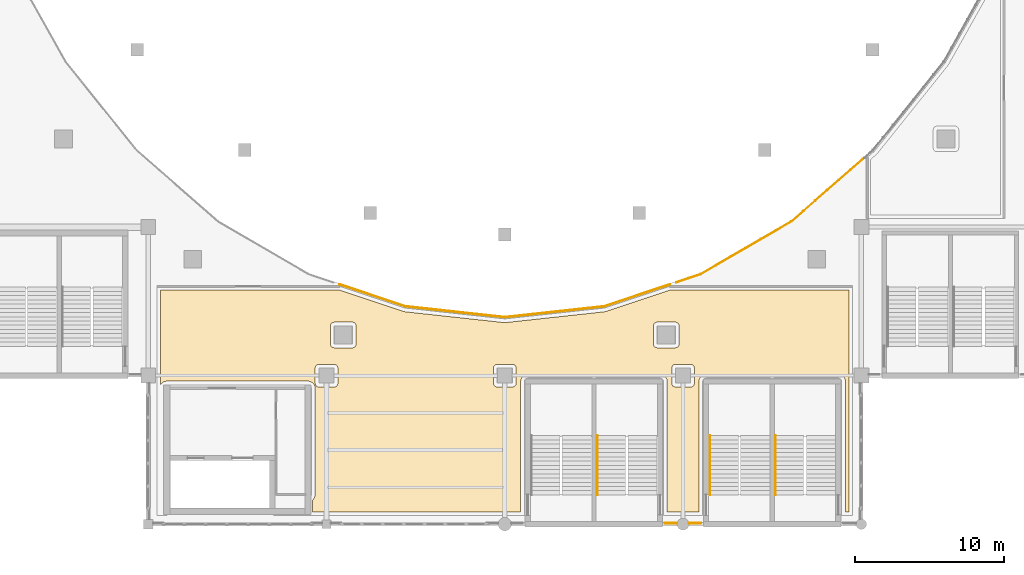
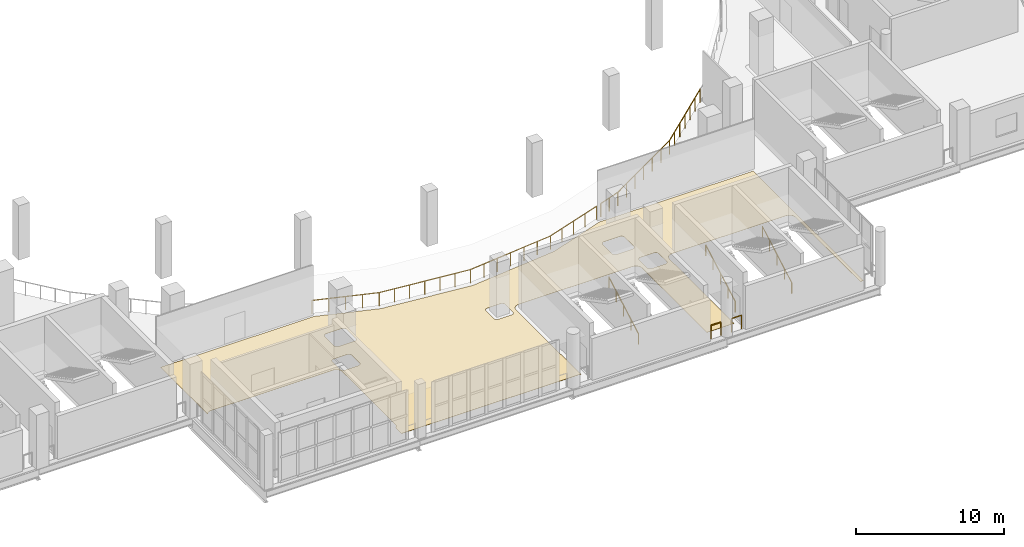
# One storey, part 99 of 108: 7 railings, 1 covering.
"""IFC4 building model written with IfcOpenShell, lengths in metres."""

from ifc_helpers import new_model, si_unit, direction, frame, origin, origin_2d, place, context, subcontext, project, spatial, polyline, circle, outline, extrude, material, layer, layer_set, type_object, element, save


model = new_model("IFC4")

# Units and contexts
model_context = context("Model", 3, precision=1e-05, world=origin(), true_north=direction((0.0, 1.0)))
body_context = subcontext(model_context, "Body", "Model", "MODEL_VIEW")
ifc_project = project(units=[si_unit("LENGTHUNIT", "METRE"), si_unit("AREAUNIT", "SQUARE_METRE"), si_unit("VOLUMEUNIT", "CUBIC_METRE"), si_unit("PLANEANGLEUNIT", "RADIAN"), si_unit("MASSUNIT", "GRAM", prefix="KILO")], contexts=[model_context])

# Site, building, storey
site_placement = place(None, origin())
site = spatial("IfcSite", under=ifc_project, at=site_placement, CompositionType="ELEMENT")
building_placement = place(site_placement, origin())
building = spatial("IfcBuilding", under=site, at=building_placement, Name="Brinegate Civic Arena", CompositionType="ELEMENT")
storey_placement = place(building_placement, frame((0.0, 0.0, 10.199951171875)))
storey = spatial("IfcBuildingStorey", under=building, at=storey_placement, Name="L02", CompositionType="ELEMENT", Elevation=10.199951171875)

# Covering
ifc_material_1 = material(Name="Polished coral terrazzo flooring")
ifc_layer = layer(ifc_material_1, 0.013916015625, Name="Polished coral terrazzo flooring")
ifc_layer_set = layer_set([ifc_layer], Name="Polished coral terrazzo flooring")
covering_type = type_object("IfcCoveringType", Name="FLOORING-ACOUSTIC-14", PredefinedType="FLOORING", material=ifc_layer_set)
covering_placement = place(storey_placement, origin())
element("IfcCovering", 1, at=covering_placement, inside=storey, type_object=covering_type, Name="Flooring L02-002", PredefinedType="FLOORING", context=body_context, shape_type="SweptSolid", body=[
    extrude(outline(polyline([(84.830078125, 15.77001953125), (96.842041015625, 15.77001953125), (101.197021484375, 14.31689453125), (101.222900390625, 14.30908203125), (101.2490234375, 14.304931640625), (107.972900390625, 13.572021484375), (108.0, 13.570068359375), (108.027099609375, 13.572021484375), (114.7509765625, 14.304931640625), (114.777099609375, 14.30908203125), (114.802978515625, 14.31689453125), (119.156982421875, 15.77001953125), (131.169921875, 15.77001953125), (131.169921875, 0.830078125), (130.929931640625, 0.830078125), (130.929931640625, 9.59912109375), (130.928955078125, 9.6240234375), (130.924072265625, 9.669921875), (130.9208984375, 9.694091796875), (130.9150390625, 9.716064453125), (130.902099609375, 9.760009765625), (130.89404296875, 9.782958984375), (130.883056640625, 9.805908203125), (130.862060546875, 9.845947265625), (130.84912109375, 9.865966796875), (130.8349609375, 9.885986328125), (130.806884765625, 9.9208984375), (130.7900390625, 9.93994140625), (130.77099609375, 9.95703125), (130.736083984375, 9.985107421875), (130.716064453125, 9.9990234375), (130.696044921875, 10.011962890625), (130.656005859375, 10.032958984375), (130.633056640625, 10.0439453125), (130.610107421875, 10.052001953125), (130.56591796875, 10.06494140625), (130.5439453125, 10.071044921875), (130.52001953125, 10.073974609375), (130.47412109375, 10.0791015625), (130.448974609375, 10.080078125), (126.14599609375, 10.080078125), (126.12109375, 10.0791015625), (126.073974609375, 10.073974609375), (126.0390625, 10.068115234375), (126.01806640625, 10.06298828125), (126.0, 10.056884765625), (125.98193359375, 10.06298828125), (125.9609375, 10.068115234375), (125.926025390625, 10.073974609375), (125.87890625, 10.0791015625), (125.85400390625, 10.080078125), (121.551025390625, 10.080078125), (121.52587890625, 10.0791015625), (121.47998046875, 10.073974609375), (121.4560546875, 10.071044921875), (121.43408203125, 10.06494140625), (121.389892578125, 10.052001953125), (121.366943359375, 10.0439453125), (121.343994140625, 10.032958984375), (121.303955078125, 10.011962890625), (121.283935546875, 9.9990234375), (121.263916015625, 9.985107421875), (121.22900390625, 9.95703125), (121.2099609375, 9.93994140625), (121.193115234375, 9.9208984375), (121.1650390625, 9.885986328125), (121.15087890625, 9.865966796875), (121.137939453125, 9.845947265625), (121.116943359375, 9.805908203125), (121.10595703125, 9.782958984375), (121.097900390625, 9.760009765625), (121.0849609375, 9.716064453125), (121.0791015625, 9.694091796875), (121.075927734375, 9.669921875), (121.071044921875, 9.6240234375), (121.070068359375, 9.59912109375), (121.070068359375, 0.830078125), (118.929931640625, 0.830078125), (118.929931640625, 9.59912109375), (118.928955078125, 9.6240234375), (118.924072265625, 9.669921875), (118.9208984375, 9.694091796875), (118.9150390625, 9.716064453125), (118.902099609375, 9.760009765625), (118.89404296875, 9.782958984375), (118.883056640625, 9.805908203125), (118.862060546875, 9.845947265625), (118.85205078125, 9.863037109375), (118.841064453125, 9.8779296875), (118.827880859375, 9.89599609375), (118.804931640625, 9.923095703125), (118.77294921875, 9.9541015625), (118.75390625, 9.970947265625), (118.73388671875, 9.986083984375), (118.696044921875, 10.010986328125), (118.676025390625, 10.02294921875), (118.656005859375, 10.032958984375), (118.614013671875, 10.050048828125), (118.595947265625, 10.056884765625), (118.576904296875, 10.06298828125), (118.555908203125, 10.068115234375), (118.52099609375, 10.073974609375), (118.47412109375, 10.0791015625), (118.448974609375, 10.080078125), (114.14599609375, 10.080078125), (114.12109375, 10.0791015625), (114.073974609375, 10.073974609375), (114.0390625, 10.068115234375), (114.01806640625, 10.06298828125), (114.0, 10.056884765625), (113.98193359375, 10.06298828125), (113.9609375, 10.068115234375), (113.926025390625, 10.073974609375), (113.87890625, 10.0791015625), (113.85400390625, 10.080078125), (109.551025390625, 10.080078125), (109.52587890625, 10.0791015625), (109.47998046875, 10.073974609375), (109.4560546875, 10.071044921875), (109.43408203125, 10.06494140625), (109.389892578125, 10.052001953125), (109.366943359375, 10.0439453125), (109.343994140625, 10.032958984375), (109.303955078125, 10.011962890625), (109.283935546875, 9.9990234375), (109.263916015625, 9.985107421875), (109.22900390625, 9.95703125), (109.2099609375, 9.93994140625), (109.193115234375, 9.9208984375), (109.1650390625, 9.885986328125), (109.15087890625, 9.865966796875), (109.137939453125, 9.845947265625), (109.116943359375, 9.805908203125), (109.10595703125, 9.782958984375), (109.097900390625, 9.760009765625), (109.0849609375, 9.716064453125), (109.0791015625, 9.694091796875), (109.075927734375, 9.669921875), (109.071044921875, 9.6240234375), (109.070068359375, 9.59912109375), (109.070068359375, 0.830078125), (95.050048828125, 0.830078125), (95.050048828125, 1.6259765625), (95.053955078125, 1.62890625), (95.072998046875, 1.64599609375), (95.10498046875, 1.677001953125), (95.1279296875, 1.7041015625), (95.14111328125, 1.721923828125), (95.152099609375, 1.737060546875), (95.162109375, 1.75390625), (95.18310546875, 1.7939453125), (95.19189453125, 1.81201171875), (95.198974609375, 1.830078125), (95.2060546875, 1.85009765625), (95.214111328125, 1.881103515625), (95.22412109375, 1.926025390625), (95.22705078125, 1.947021484375), (95.22900390625, 1.967041015625), (95.22998046875, 1.989990234375), (95.22998046875, 2.0), (95.22998046875, 9.14892578125), (95.22900390625, 9.174072265625), (95.22412109375, 9.219970703125), (95.220947265625, 9.243896484375), (95.215087890625, 9.26611328125), (95.201904296875, 9.31005859375), (95.194091796875, 9.3330078125), (95.18310546875, 9.35595703125), (95.162109375, 9.39599609375), (95.152099609375, 9.4130859375), (95.14111328125, 9.427978515625), (95.1279296875, 9.446044921875), (95.10498046875, 9.472900390625), (95.072998046875, 9.50390625), (95.053955078125, 9.52099609375), (95.033935546875, 9.535888671875), (94.99609375, 9.56103515625), (94.97607421875, 9.572998046875), (94.9560546875, 9.5830078125), (94.9140625, 9.60009765625), (94.89599609375, 9.60693359375), (94.876953125, 9.613037109375), (94.85595703125, 9.617919921875), (94.821044921875, 9.6240234375), (94.77392578125, 9.62890625), (94.7490234375, 9.6298828125), (92.60107421875, 9.6298828125), (92.575927734375, 9.62890625), (92.550048828125, 9.6259765625), (92.52392578125, 9.62890625), (92.4990234375, 9.6298828125), (85.2509765625, 9.6298828125), (85.22607421875, 9.62890625), (85.178955078125, 9.6240234375), (85.14404296875, 9.617919921875), (85.123046875, 9.613037109375), (85.10400390625, 9.60693359375), (85.0859375, 9.60009765625), (85.0439453125, 9.5830078125), (85.02392578125, 9.572998046875), (85.00390625, 9.56103515625), (84.966064453125, 9.535888671875), (84.946044921875, 9.52099609375), (84.927001953125, 9.50390625), (84.89501953125, 9.472900390625), (84.8720703125, 9.446044921875), (84.85888671875, 9.427978515625), (84.847900390625, 9.4130859375), (84.837890625, 9.39599609375), (84.830078125, 9.3798828125), (84.830078125, 15.77001953125)]), holes=[polyline([(119.489990234375, 10.760009765625), (119.465087890625, 10.759033203125), (119.44091796875, 10.7548828125), (119.4169921875, 10.7490234375), (119.39404296875, 10.740966796875), (119.3720703125, 10.72998046875), (119.35107421875, 10.718017578125), (119.3310546875, 10.702880859375), (119.31298828125, 10.68701171875), (119.297119140625, 10.6689453125), (119.281982421875, 10.64892578125), (119.27001953125, 10.6279296875), (119.259033203125, 10.60595703125), (119.2509765625, 10.5830078125), (119.2451171875, 10.55908203125), (119.240966796875, 10.534912109375), (119.239990234375, 10.510009765625), (119.239990234375, 9.489990234375), (119.240966796875, 9.465087890625), (119.2451171875, 9.44091796875), (119.2509765625, 9.4169921875), (119.259033203125, 9.39404296875), (119.27001953125, 9.3720703125), (119.281982421875, 9.35107421875), (119.297119140625, 9.3310546875), (119.31298828125, 9.31298828125), (119.3310546875, 9.297119140625), (119.35107421875, 9.281982421875), (119.3720703125, 9.27001953125), (119.39404296875, 9.259033203125), (119.4169921875, 9.2509765625), (119.44091796875, 9.2451171875), (119.465087890625, 9.240966796875), (119.489990234375, 9.239990234375), (120.510009765625, 9.239990234375), (120.534912109375, 9.240966796875), (120.55908203125, 9.2451171875), (120.5830078125, 9.2509765625), (120.60595703125, 9.259033203125), (120.6279296875, 9.27001953125), (120.64892578125, 9.281982421875), (120.6689453125, 9.297119140625), (120.68701171875, 9.31298828125), (120.702880859375, 9.3310546875), (120.718017578125, 9.35107421875), (120.72998046875, 9.3720703125), (120.740966796875, 9.39404296875), (120.7490234375, 9.4169921875), (120.7548828125, 9.44091796875), (120.759033203125, 9.465087890625), (120.760009765625, 9.489990234375), (120.760009765625, 10.510009765625), (120.759033203125, 10.534912109375), (120.7548828125, 10.55908203125), (120.7490234375, 10.5830078125), (120.740966796875, 10.60595703125), (120.72998046875, 10.6279296875), (120.718017578125, 10.64892578125), (120.702880859375, 10.6689453125), (120.68701171875, 10.68701171875), (120.6689453125, 10.702880859375), (120.64892578125, 10.718017578125), (120.6279296875, 10.72998046875), (120.60595703125, 10.740966796875), (120.5830078125, 10.7490234375), (120.55908203125, 10.7548828125), (120.534912109375, 10.759033203125), (120.510009765625, 10.760009765625), (119.489990234375, 10.760009765625)]), polyline([(119.72998046875, 13.347900390625), (119.72900390625, 13.373046875), (119.72509765625, 13.39697265625), (119.718994140625, 13.4208984375), (119.7109375, 13.444091796875), (119.699951171875, 13.466064453125), (119.68798828125, 13.487060546875), (119.673095703125, 13.507080078125), (119.656982421875, 13.52490234375), (119.638916015625, 13.541015625), (119.618896484375, 13.555908203125), (119.597900390625, 13.568115234375), (119.575927734375, 13.5791015625), (119.552978515625, 13.5869140625), (119.529052734375, 13.593017578125), (119.5048828125, 13.596923828125), (119.47998046875, 13.597900390625), (118.260009765625, 13.597900390625), (118.235107421875, 13.596923828125), (118.2109375, 13.593017578125), (118.18701171875, 13.5869140625), (118.1640625, 13.5791015625), (118.14208984375, 13.568115234375), (118.12109375, 13.555908203125), (118.10107421875, 13.541015625), (118.0830078125, 13.52490234375), (118.06689453125, 13.507080078125), (118.052001953125, 13.487060546875), (118.0400390625, 13.466064453125), (118.029052734375, 13.444091796875), (118.02099609375, 13.4208984375), (118.014892578125, 13.39697265625), (118.010986328125, 13.373046875), (118.010009765625, 13.347900390625), (118.010009765625, 12.1279296875), (118.010986328125, 12.10302734375), (118.014892578125, 12.0791015625), (118.02099609375, 12.054931640625), (118.029052734375, 12.031982421875), (118.0400390625, 12.010009765625), (118.052001953125, 11.989013671875), (118.06689453125, 11.968994140625), (118.0830078125, 11.950927734375), (118.10107421875, 11.93505859375), (118.12109375, 11.919921875), (118.14208984375, 11.907958984375), (118.1640625, 11.89697265625), (118.18701171875, 11.888916015625), (118.2109375, 11.883056640625), (118.235107421875, 11.87890625), (118.260009765625, 11.8779296875), (119.47998046875, 11.8779296875), (119.5048828125, 11.87890625), (119.529052734375, 11.883056640625), (119.552978515625, 11.888916015625), (119.575927734375, 11.89697265625), (119.597900390625, 11.907958984375), (119.618896484375, 11.919921875), (119.638916015625, 11.93505859375), (119.656982421875, 11.950927734375), (119.673095703125, 11.968994140625), (119.68798828125, 11.989013671875), (119.699951171875, 12.010009765625), (119.7109375, 12.031982421875), (119.718994140625, 12.054931640625), (119.72509765625, 12.0791015625), (119.72900390625, 12.10302734375), (119.72998046875, 12.1279296875), (119.72998046875, 13.347900390625)]), polyline([(107.489990234375, 10.760009765625), (107.465087890625, 10.759033203125), (107.44091796875, 10.7548828125), (107.4169921875, 10.7490234375), (107.39404296875, 10.740966796875), (107.3720703125, 10.72998046875), (107.35107421875, 10.718017578125), (107.3310546875, 10.702880859375), (107.31298828125, 10.68701171875), (107.297119140625, 10.6689453125), (107.281982421875, 10.64892578125), (107.27001953125, 10.6279296875), (107.259033203125, 10.60595703125), (107.2509765625, 10.5830078125), (107.2451171875, 10.55908203125), (107.240966796875, 10.534912109375), (107.239990234375, 10.510009765625), (107.239990234375, 9.489990234375), (107.240966796875, 9.465087890625), (107.2451171875, 9.44091796875), (107.2509765625, 9.4169921875), (107.259033203125, 9.39404296875), (107.27001953125, 9.3720703125), (107.281982421875, 9.35107421875), (107.297119140625, 9.3310546875), (107.31298828125, 9.31298828125), (107.3310546875, 9.297119140625), (107.35107421875, 9.281982421875), (107.3720703125, 9.27001953125), (107.39404296875, 9.259033203125), (107.4169921875, 9.2509765625), (107.44091796875, 9.2451171875), (107.465087890625, 9.240966796875), (107.489990234375, 9.239990234375), (108.510009765625, 9.239990234375), (108.534912109375, 9.240966796875), (108.55908203125, 9.2451171875), (108.5830078125, 9.2509765625), (108.60595703125, 9.259033203125), (108.6279296875, 9.27001953125), (108.64892578125, 9.281982421875), (108.6689453125, 9.297119140625), (108.68701171875, 9.31298828125), (108.702880859375, 9.3310546875), (108.718017578125, 9.35107421875), (108.72998046875, 9.3720703125), (108.740966796875, 9.39404296875), (108.7490234375, 9.4169921875), (108.7548828125, 9.44091796875), (108.759033203125, 9.465087890625), (108.760009765625, 9.489990234375), (108.760009765625, 10.510009765625), (108.759033203125, 10.534912109375), (108.7548828125, 10.55908203125), (108.7490234375, 10.5830078125), (108.740966796875, 10.60595703125), (108.72998046875, 10.6279296875), (108.718017578125, 10.64892578125), (108.702880859375, 10.6689453125), (108.68701171875, 10.68701171875), (108.6689453125, 10.702880859375), (108.64892578125, 10.718017578125), (108.6279296875, 10.72998046875), (108.60595703125, 10.740966796875), (108.5830078125, 10.7490234375), (108.55908203125, 10.7548828125), (108.534912109375, 10.759033203125), (108.510009765625, 10.760009765625), (107.489990234375, 10.760009765625)]), polyline([(96.52001953125, 13.597900390625), (96.4951171875, 13.596923828125), (96.470947265625, 13.593017578125), (96.447021484375, 13.5869140625), (96.424072265625, 13.5791015625), (96.402099609375, 13.568115234375), (96.381103515625, 13.555908203125), (96.361083984375, 13.541015625), (96.343017578125, 13.52490234375), (96.326904296875, 13.507080078125), (96.31201171875, 13.487060546875), (96.300048828125, 13.466064453125), (96.2890625, 13.444091796875), (96.281005859375, 13.4208984375), (96.27490234375, 13.39697265625), (96.27099609375, 13.373046875), (96.27001953125, 13.347900390625), (96.27001953125, 12.1279296875), (96.27099609375, 12.10302734375), (96.27490234375, 12.0791015625), (96.281005859375, 12.054931640625), (96.2890625, 12.031982421875), (96.300048828125, 12.010009765625), (96.31201171875, 11.989013671875), (96.326904296875, 11.968994140625), (96.343017578125, 11.950927734375), (96.361083984375, 11.93505859375), (96.381103515625, 11.919921875), (96.402099609375, 11.907958984375), (96.424072265625, 11.89697265625), (96.447021484375, 11.888916015625), (96.470947265625, 11.883056640625), (96.4951171875, 11.87890625), (96.52001953125, 11.8779296875), (97.739990234375, 11.8779296875), (97.764892578125, 11.87890625), (97.7890625, 11.883056640625), (97.81298828125, 11.888916015625), (97.8359375, 11.89697265625), (97.85791015625, 11.907958984375), (97.87890625, 11.919921875), (97.89892578125, 11.93505859375), (97.9169921875, 11.950927734375), (97.93310546875, 11.968994140625), (97.947998046875, 11.989013671875), (97.9599609375, 12.010009765625), (97.970947265625, 12.031982421875), (97.97900390625, 12.054931640625), (97.985107421875, 12.0791015625), (97.989013671875, 12.10302734375), (97.989990234375, 12.1279296875), (97.989990234375, 13.347900390625), (97.989013671875, 13.373046875), (97.985107421875, 13.39697265625), (97.97900390625, 13.4208984375), (97.970947265625, 13.444091796875), (97.9599609375, 13.466064453125), (97.947998046875, 13.487060546875), (97.93310546875, 13.507080078125), (97.9169921875, 13.52490234375), (97.89892578125, 13.541015625), (97.87890625, 13.555908203125), (97.85791015625, 13.568115234375), (97.8359375, 13.5791015625), (97.81298828125, 13.5869140625), (97.7890625, 13.593017578125), (97.764892578125, 13.596923828125), (97.739990234375, 13.597900390625), (96.52001953125, 13.597900390625)]), polyline([(96.760009765625, 10.510009765625), (96.759033203125, 10.534912109375), (96.7548828125, 10.55908203125), (96.7490234375, 10.5830078125), (96.740966796875, 10.60595703125), (96.72998046875, 10.6279296875), (96.718017578125, 10.64892578125), (96.702880859375, 10.6689453125), (96.68701171875, 10.68701171875), (96.6689453125, 10.702880859375), (96.64892578125, 10.718017578125), (96.6279296875, 10.72998046875), (96.60595703125, 10.740966796875), (96.5830078125, 10.7490234375), (96.55908203125, 10.7548828125), (96.534912109375, 10.759033203125), (96.510009765625, 10.760009765625), (95.489990234375, 10.760009765625), (95.465087890625, 10.759033203125), (95.44091796875, 10.7548828125), (95.4169921875, 10.7490234375), (95.39404296875, 10.740966796875), (95.3720703125, 10.72998046875), (95.35107421875, 10.718017578125), (95.3310546875, 10.702880859375), (95.31298828125, 10.68701171875), (95.297119140625, 10.6689453125), (95.281982421875, 10.64892578125), (95.27001953125, 10.6279296875), (95.259033203125, 10.60595703125), (95.2509765625, 10.5830078125), (95.2451171875, 10.55908203125), (95.240966796875, 10.534912109375), (95.239990234375, 10.510009765625), (95.239990234375, 9.489990234375), (95.240966796875, 9.465087890625), (95.2451171875, 9.44091796875), (95.2509765625, 9.4169921875), (95.259033203125, 9.39404296875), (95.27001953125, 9.3720703125), (95.281982421875, 9.35107421875), (95.297119140625, 9.3310546875), (95.31298828125, 9.31298828125), (95.3310546875, 9.297119140625), (95.35107421875, 9.281982421875), (95.3720703125, 9.27001953125), (95.39404296875, 9.259033203125), (95.4169921875, 9.2509765625), (95.44091796875, 9.2451171875), (95.465087890625, 9.240966796875), (95.489990234375, 9.239990234375), (96.510009765625, 9.239990234375), (96.534912109375, 9.240966796875), (96.55908203125, 9.2451171875), (96.5830078125, 9.2509765625), (96.60595703125, 9.259033203125), (96.6279296875, 9.27001953125), (96.64892578125, 9.281982421875), (96.6689453125, 9.297119140625), (96.68701171875, 9.31298828125), (96.702880859375, 9.3310546875), (96.718017578125, 9.35107421875), (96.72998046875, 9.3720703125), (96.740966796875, 9.39404296875), (96.7490234375, 9.4169921875), (96.7548828125, 9.44091796875), (96.759033203125, 9.465087890625), (96.760009765625, 9.489990234375), (96.760009765625, 10.510009765625)])]), origin(), (0.0, 0.0, 1.0), 0.01416015625),
])

# Railings
ifc_material_2 = material(Name="Architectural stainless steel balustrade", Category="steel")
railing_type_1 = type_object("IfcRailingType", Name="RAIL-STAIR-HANDRAIL-900", PredefinedType="HANDRAIL", material=ifc_material_2)
for number, where, name in (
    (2, (121.804931640625, 1.969970703125, 0.0), "Stair Pitch Handrail ST-04A L02"),
    (3, (126.22509765625, 1.969970703125, 0.0), "Stair Pitch Handrail ST-04B L02"),
    (4, (114.22509765625, 1.969970703125, 0.0), "Stair Pitch Handrail ST-16B L02"),
):
    element("IfcRailing", number, at=place(storey_placement, frame(where)), inside=storey, type_object=railing_type_1, Name=name, PredefinedType="HANDRAIL", context=body_context, shape_type="SweptSolid", body=[
        extrude(circle(Radius=0.02392578125, at=origin_2d()), frame((0.0, 0.001220703125, 0.876708984375), z_axis=(0.0, 0.871049806155, 0.491194701923), x_axis=(-1.0, 0.0, 0.0)), (0.0, 0.0, 1.0), 4.57763671875),
        extrude(circle(Radius=0.02099609375, at=origin_2d()), origin(), (0.0, 0.0, 1.0), 0.849853515625),
        extrude(circle(Radius=0.02099609375, at=origin_2d()), frame((0.0, 0.99755859375, 0.5625)), (0.0, 0.0, 1.0), 0.849853515625),
        extrude(circle(Radius=0.02099609375, at=origin_2d()), frame((0.0, 1.9951171875, 1.125)), (0.0, 0.0, 1.0), 0.849853515625),
        extrude(circle(Radius=0.02099609375, at=origin_2d()), frame((0.0, 2.992431640625, 1.6875)), (0.0, 0.0, 1.0), 0.849853515625),
        extrude(circle(Radius=0.02099609375, at=origin_2d()), frame((0.0, 3.989990234375, 2.25)), (0.0, 0.0, 1.0), 0.849853515625),
    ])
railing_type_2 = type_object("IfcRailingType", Name="RAIL-VOID-BALUSTRADE-1120", PredefinedType="BALUSTRADE", material=ifc_material_2)
for number, where, name in (
    (5, (121.199951171875, 0.070068359375, 0.0), "Deck Edge Balustrade L02-184"),
    (6, (119.580078125, 0.070068359375, 0.0), "Deck Edge Balustrade L02-185"),
):
    element("IfcRailing", number, at=place(storey_placement, frame(where)), inside=storey, type_object=railing_type_2, Name=name, PredefinedType="BALUSTRADE", context=body_context, shape_type="SweptSolid", body=[
        extrude(circle(Radius=0.02392578125, at=origin_2d()), frame((-0.00146484375, 0.0, 1.09619140625), z_axis=(-1.0, 0.0, 0.0), x_axis=(0.0, -1.0, 0.0)), (0.0, 0.0, 1.0), 0.777099609375),
        extrude(circle(Radius=0.02099609375, at=origin_2d()), origin(), (0.0, 0.0, 1.0), 1.070068359375),
        extrude(circle(Radius=0.02099609375, at=origin_2d()), frame((-0.780029296875, 0.0, 0.0)), (0.0, 0.0, 1.0), 1.070068359375),
    ])
railing_1_placement = place(storey_placement, frame((96.8798828125, 16.136962890625, 0.0)))
element("IfcRailing", 7, at=railing_1_placement, inside=storey, type_object=railing_type_2, Name="Deck Edge Balustrade L02-209", PredefinedType="BALUSTRADE", context=body_context, shape_type="SweptSolid", body=[
    extrude(circle(Radius=0.02392578125, at=origin_2d()), frame((0.00146484375, -0.00048828125, 1.09619140625), z_axis=(0.948499483036, -0.316778677754, 0.0), x_axis=(0.316778677754, 0.948499483036, 0.0)), (0.0, 0.0, 1.0), 4.649658203125),
    extrude(circle(Radius=0.02392578125, at=origin_2d()), frame((4.41455078125, -1.47412109375, 1.09619140625), z_axis=(0.994064408933, -0.108793156457, 0.0), x_axis=(0.108793156457, 0.994064408933, 0.0)), (0.0, 0.0, 1.0), 6.736083984375),
    extrude(circle(Radius=0.02392578125, at=origin_2d()), frame((11.113525390625, -2.20703125, 1.09619140625), z_axis=(1.0, 0.0, 0.0), x_axis=(0.0, 1.0, 0.0)), (0.0, 0.0, 1.0), 0.01318359375),
    extrude(circle(Radius=0.02392578125, at=origin_2d()), frame((11.129638671875, -2.206787109375, 1.09619140625), z_axis=(0.994106587906, 0.108407065645, 0.0), x_axis=(-0.108407065645, 0.994106587906, 0.0)), (0.0, 0.0, 1.0), 6.7216796875),
    extrude(circle(Radius=0.02392578125, at=origin_2d()), frame((17.814697265625, -1.4775390625, 1.09619140625), z_axis=(0.948531490811, 0.316682823878, 0.0), x_axis=(-0.316682823878, 0.948531490811, 0.0)), (0.0, 0.0, 1.0), 4.664306640625),
    extrude(circle(Radius=0.02099609375, at=origin_2d()), origin(), (0.0, 0.0, 1.0), 1.070068359375),
    extrude(circle(Radius=0.02099609375, at=origin_2d()), frame((1.103271484375, -0.368408203125, 0.0)), (0.0, 0.0, 1.0), 1.070068359375),
    extrude(circle(Radius=0.02099609375, at=origin_2d()), frame((2.20654296875, -0.73681640625, 0.0)), (0.0, 0.0, 1.0), 1.070068359375),
    extrude(circle(Radius=0.02099609375, at=origin_2d()), frame((3.309814453125, -1.10546875, 0.0)), (0.0, 0.0, 1.0), 1.070068359375),
    extrude(circle(Radius=0.02099609375, at=origin_2d()), frame((4.4130859375, -1.473876953125, 0.0)), (0.0, 0.0, 1.0), 1.070068359375),
    extrude(circle(Radius=0.02099609375, at=origin_2d()), frame((5.529541015625, -1.59619140625, 0.0)), (0.0, 0.0, 1.0), 1.070068359375),
    extrude(circle(Radius=0.02099609375, at=origin_2d()), frame((6.64599609375, -1.71826171875, 0.0)), (0.0, 0.0, 1.0), 1.070068359375),
    extrude(circle(Radius=0.02099609375, at=origin_2d()), frame((7.7626953125, -1.84033203125, 0.0)), (0.0, 0.0, 1.0), 1.070068359375),
    extrude(circle(Radius=0.02099609375, at=origin_2d()), frame((8.879150390625, -1.962646484375, 0.0)), (0.0, 0.0, 1.0), 1.070068359375),
    extrude(circle(Radius=0.02099609375, at=origin_2d()), frame((9.99560546875, -2.0849609375, 0.0)), (0.0, 0.0, 1.0), 1.070068359375),
    extrude(circle(Radius=0.02099609375, at=origin_2d()), frame((11.112060546875, -2.20703125, 0.0)), (0.0, 0.0, 1.0), 1.070068359375),
    extrude(circle(Radius=0.02099609375, at=origin_2d()), frame((12.242431640625, -2.08544921875, 0.0)), (0.0, 0.0, 1.0), 1.070068359375),
    extrude(circle(Radius=0.02099609375, at=origin_2d()), frame((13.3564453125, -1.964111328125, 0.0)), (0.0, 0.0, 1.0), 1.070068359375),
    extrude(circle(Radius=0.02099609375, at=origin_2d()), frame((14.470703125, -1.842529296875, 0.0)), (0.0, 0.0, 1.0), 1.070068359375),
    extrude(circle(Radius=0.02099609375, at=origin_2d()), frame((15.5849609375, -1.720947265625, 0.0)), (0.0, 0.0, 1.0), 1.070068359375),
    extrude(circle(Radius=0.02099609375, at=origin_2d()), frame((16.698974609375, -1.599609375, 0.0)), (0.0, 0.0, 1.0), 1.070068359375),
    extrude(circle(Radius=0.02099609375, at=origin_2d()), frame((17.813232421875, -1.47802734375, 0.0)), (0.0, 0.0, 1.0), 1.070068359375),
    extrude(circle(Radius=0.02099609375, at=origin_2d()), frame((18.919921875, -1.1083984375, 0.0)), (0.0, 0.0, 1.0), 1.070068359375),
    extrude(circle(Radius=0.02099609375, at=origin_2d()), frame((20.02685546875, -0.739013671875, 0.0)), (0.0, 0.0, 1.0), 1.070068359375),
    extrude(circle(Radius=0.02099609375, at=origin_2d()), frame((21.133544921875, -0.36962890625, 0.0)), (0.0, 0.0, 1.0), 1.070068359375),
    extrude(circle(Radius=0.02099609375, at=origin_2d()), frame((22.240234375, 0.0, 0.0)), (0.0, 0.0, 1.0), 1.070068359375),
])
railing_2_placement = place(storey_placement, frame((119.548095703125, 16.280029296875, 0.0)))
element("IfcRailing", 8, at=railing_2_placement, inside=storey, type_object=railing_type_2, Name="Deck Edge Balustrade L02-210", PredefinedType="BALUSTRADE", context=body_context, shape_type="SweptSolid", body=[
    extrude(circle(Radius=0.02392578125, at=origin_2d()), frame((0.00146484375, 0.00048828125, 1.09619140625), z_axis=(0.948372593194, 0.317158358676, 0.0), x_axis=(-0.317158358676, 0.948372593194, 0.0)), (0.0, 0.0, 1.0), 1.728271484375),
    extrude(circle(Radius=0.02392578125, at=origin_2d()), frame((1.64306640625, 0.5498046875, 1.09619140625), z_axis=(0.864665689631, 0.502347733323, 0.0), x_axis=(-0.502347733323, 0.864665689631, 0.0)), (0.0, 0.0, 1.0), 7.0458984375),
    extrude(circle(Radius=0.02392578125, at=origin_2d()), frame((7.738037109375, 4.091064453125, 1.09619140625), z_axis=(0.75341266458, 0.657547988249, 0.0), x_axis=(-0.657547988249, 0.75341266458, 0.0)), (0.0, 0.0, 1.0), 6.414794921875),
    extrude(circle(Radius=0.02099609375, at=origin_2d()), origin(), (0.0, 0.0, 1.0), 1.070068359375),
    extrude(circle(Radius=0.02099609375, at=origin_2d()), frame((0.82080078125, 0.2744140625, 0.0)), (0.0, 0.0, 1.0), 1.070068359375),
    extrude(circle(Radius=0.02099609375, at=origin_2d()), frame((1.641845703125, 0.549072265625, 0.0)), (0.0, 0.0, 1.0), 1.070068359375),
    extrude(circle(Radius=0.02099609375, at=origin_2d()), frame((2.65771484375, 1.13916015625, 0.0)), (0.0, 0.0, 1.0), 1.070068359375),
    extrude(circle(Radius=0.02099609375, at=origin_2d()), frame((3.673583984375, 1.7294921875, 0.0)), (0.0, 0.0, 1.0), 1.070068359375),
    extrude(circle(Radius=0.02099609375, at=origin_2d()), frame((4.689453125, 2.319580078125, 0.0)), (0.0, 0.0, 1.0), 1.070068359375),
    extrude(circle(Radius=0.02099609375, at=origin_2d()), frame((5.705078125, 2.90966796875, 0.0)), (0.0, 0.0, 1.0), 1.070068359375),
    extrude(circle(Radius=0.02099609375, at=origin_2d()), frame((6.720947265625, 3.5, 0.0)), (0.0, 0.0, 1.0), 1.070068359375),
    extrude(circle(Radius=0.02099609375, at=origin_2d()), frame((7.73681640625, 4.090087890625, 0.0)), (0.0, 0.0, 1.0), 1.070068359375),
    extrude(circle(Radius=0.02099609375, at=origin_2d()), frame((8.542724609375, 4.79345703125, 0.0)), (0.0, 0.0, 1.0), 1.070068359375),
    extrude(circle(Radius=0.02099609375, at=origin_2d()), frame((9.3486328125, 5.496826171875, 0.0)), (0.0, 0.0, 1.0), 1.070068359375),
    extrude(circle(Radius=0.02099609375, at=origin_2d()), frame((10.154296875, 6.2001953125, 0.0)), (0.0, 0.0, 1.0), 1.070068359375),
    extrude(circle(Radius=0.02099609375, at=origin_2d()), frame((10.960205078125, 6.9033203125, 0.0)), (0.0, 0.0, 1.0), 1.070068359375),
    extrude(circle(Radius=0.02099609375, at=origin_2d()), frame((11.76611328125, 7.606689453125, 0.0)), (0.0, 0.0, 1.0), 1.070068359375),
    extrude(circle(Radius=0.02099609375, at=origin_2d()), frame((12.572021484375, 8.31005859375, 0.0)), (0.0, 0.0, 1.0), 1.070068359375),
])

save(model, "model.ifc")
